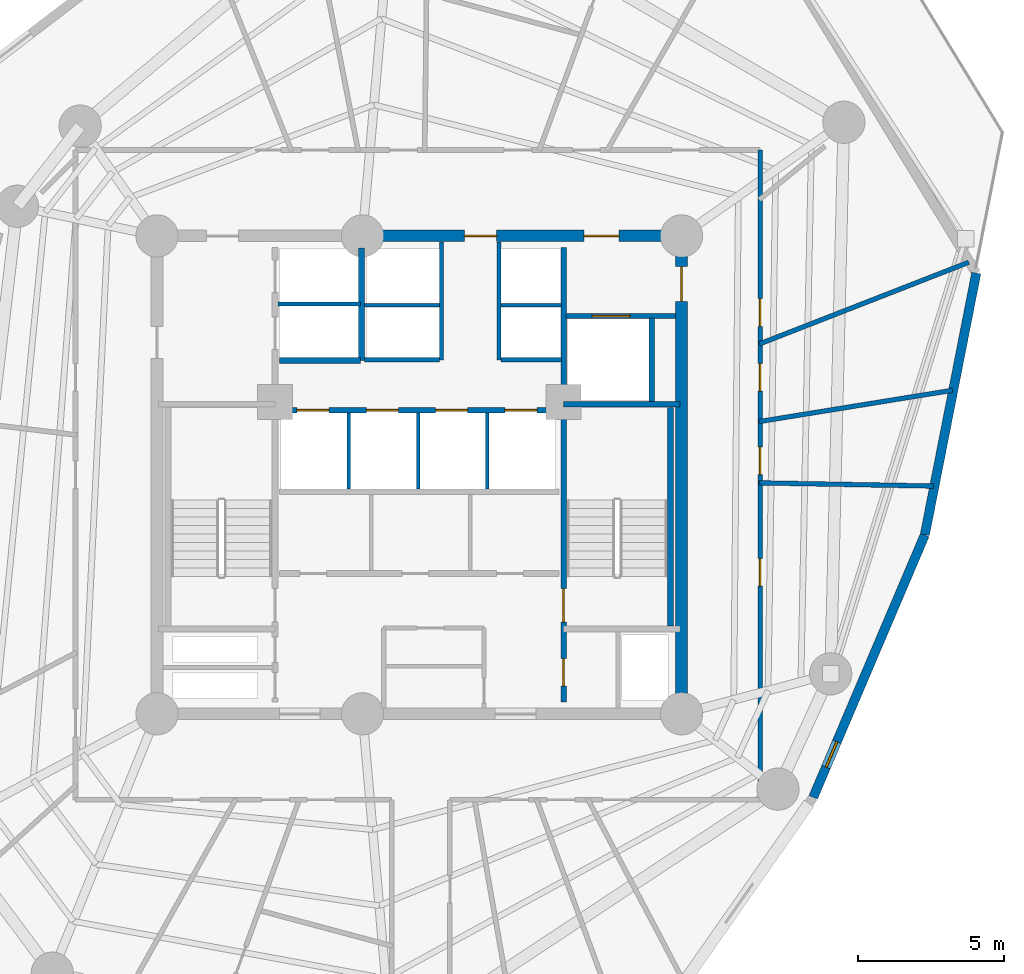
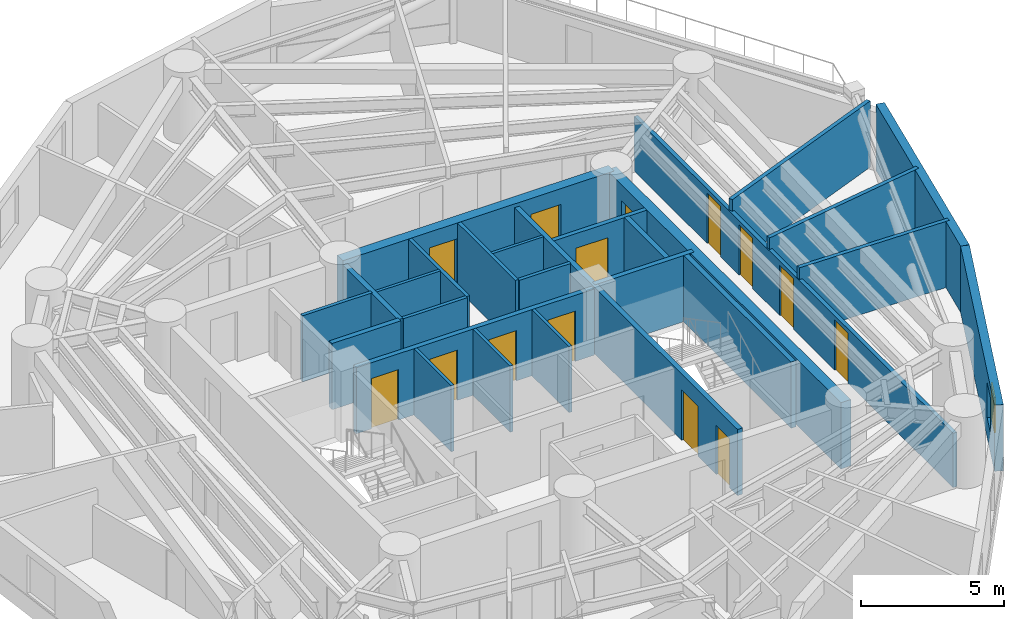
# One storey, part 5 of 9: 26 walls, 14 doors, 1 window, 15 openings.
"""IFC4 building model written with IfcOpenShell, lengths in metres."""

from ifc_helpers import new_model, si_unit, direction, frame, frame_2d, origin, origin_with_axes, place, context, subcontext, project, spatial, rectangle, extrude, source, transform, mapped, material, layer, layer_set, type_object, element, fill, save


model = new_model("IFC4")

# Units and contexts
model_context = context("Model", 3, precision=1e-05, world=origin(), true_north=direction((0.0, 1.0)))
body_context = subcontext(model_context, "Body", "Model", "MODEL_VIEW")
ifc_project = project(units=[si_unit("LENGTHUNIT", "METRE"), si_unit("AREAUNIT", "SQUARE_METRE"), si_unit("VOLUMEUNIT", "CUBIC_METRE"), si_unit("PLANEANGLEUNIT", "RADIAN"), si_unit("MASSUNIT", "GRAM", prefix="KILO")], contexts=[model_context])

# Site, building, storey
site_placement = place(None, origin())
site = spatial("IfcSite", under=ifc_project, at=site_placement, CompositionType="ELEMENT")
building_placement = place(site_placement, origin())
building = spatial("IfcBuilding", under=site, at=building_placement, Name="Karkom Vertical University and Central Library", CompositionType="ELEMENT")
storey_placement = place(building_placement, frame((0.0, 0.0, 129.75)))
storey = spatial("IfcBuildingStorey", under=building, at=storey_placement, Name="L36", CompositionType="ELEMENT", Elevation=129.75)

# Wall, opening, window
ifc_material_1 = material(Name="Brick-faced precast concrete C45/55", Category="masonry")
ifc_layer_1 = layer(ifc_material_1, 0.320068359375)
ifc_layer_set_1 = layer_set([ifc_layer_1], Name="Brick-faced precast concrete C45/55")
wall_type_1 = type_object("IfcWallType", Name="ENV-WL-BRK-320", PredefinedType="SOLIDWALL", material=ifc_layer_set_1)
wall_1_placement = place(storey_placement, frame((42.01806640625, 15.4306640625, 0.0), z_axis=(0.0, 0.0, 1.0), x_axis=(0.391384023763, 0.920227442507, 0.0)))
wall_1 = element("IfcWall", 1, at=wall_1_placement, inside=storey, type_object=wall_type_1, Name="Level 36 Brick-Faced Precast Facade Wall 06", PredefinedType="SOLIDWALL", context=body_context, shape_type="SweptSolid", body=[
    extrude(rectangle(XDim=9.79150390625, YDim=0.320068359375, at=frame_2d((4.895751953125, 0.0))), origin(), (0.0, 0.0, 1.0), 2.824951171875),
])
opening_1_placement = place(wall_1_placement, frame((1.128173828125, 0.0, 0.85009765625)))
opening_1 = element("IfcOpeningElement", 2, at=opening_1_placement, cuts=wall_1, Name="Opening WN-12", PredefinedType="OPENING", context=body_context, shape_type="SweptSolid", body=[
    extrude(rectangle(XDim=0.949951171875, YDim=1.5, at=frame_2d((0.47509765625, 0.75))), frame((0.0, 0.169921875, 0.0), z_axis=(0.0, -1.0, 0.0), x_axis=(1.0, 0.0, 0.0)), (0.0, 0.0, 1.0), 0.340087890625),
])
ifc_material_2 = material(Name="Aluminium thermal-break frame with solar-control IGU", Category="aluminium")
window_type = type_object("IfcWindowType", Name="ENV-WIN-WN-12", PartitioningType="SINGLE_PANEL", PredefinedType="WINDOW", material=ifc_material_2)
shared_shape_1 = source(origin_with_axes(), body_context, "Body", "SweptSolid", [
    extrude(rectangle(XDim=0.949951171875, YDim=1.5, at=frame_2d((0.47509765625, 0.75))), frame((0.0, 0.030029296875, 0.0), z_axis=(0.0, -1.0, 0.0), x_axis=(1.0, 0.0, 0.0)), (0.0, 0.0, 1.0), 0.06005859375),
])
window_placement = place(opening_1_placement, origin())
window = element("IfcWindow", 3, at=window_placement, inside=storey, type_object=window_type, Name="Level 36 Punched Window 6.1", OverallHeight=1.5, OverallWidth=0.949951171875, PartitioningType="SINGLE_PANEL", PredefinedType="WINDOW", context=body_context, shape_type="MappedRepresentation", body=[
    mapped(shared_shape_1, transform((0.0, 0.0, 0.0), scale=1.0)),
])
fill(opening_1, window)

# Wall
wall_2_placement = place(storey_placement, frame((45.850341796875, 24.441162109375, 0.0), z_axis=(0.0, 0.0, 1.0), x_axis=(0.192787024516, 0.981240624505, 0.0)))
element("IfcWall", 4, at=wall_2_placement, inside=storey, type_object=wall_type_1, Name="Level 36 Brick-Faced Precast Facade Wall 07", PredefinedType="SOLIDWALL", context=body_context, shape_type="SweptSolid", body=[
    extrude(rectangle(XDim=9.156005859375, YDim=0.320068359375, at=frame_2d((4.578125, 0.0))), origin(), (0.0, 0.0, 1.0), 2.824951171875),
])

# Wall, openings, doors
ifc_material_3 = material(Name="Insulated metal-stud drywall 160mm", Category="gypsum")
ifc_layer_2 = layer(ifc_material_3, 0.159912109375)
ifc_layer_set_2 = layer_set([ifc_layer_2], Name="Insulated metal-stud drywall 160mm")
wall_type_2 = type_object("IfcWallType", Name="INT-WL-COR-160", PredefinedType="PARTITIONING", material=ifc_layer_set_2)
wall_3_placement = place(storey_placement, frame((40.199951171875, 37.64990234375, 0.0), z_axis=(0.0, 0.0, 1.0), x_axis=(0.0, -1.0, 0.0)))
wall_3 = element("IfcWall", 5, at=wall_3_placement, inside=storey, type_object=wall_type_2, Name="Level 36 Interior Partition Wall L36-CORW-CW-004", PredefinedType="PARTITIONING", context=body_context, shape_type="SweptSolid", body=[
    extrude(rectangle(XDim=22.2998046875, YDim=0.159912109375, at=frame_2d((11.14990234375, 0.0))), origin(), (0.0, 0.0, 1.0), 2.324951171875),
])
opening_2_placement = place(wall_3_placement, frame((14.02001953125, 0.0, 0.0)))
opening_2 = element("IfcOpeningElement", 6, at=opening_2_placement, cuts=wall_3, Name="Opening D-RM1", PredefinedType="OPENING", context=body_context, shape_type="SweptSolid", body=[
    extrude(rectangle(XDim=0.949951171875, YDim=2.14990234375, at=frame_2d((0.47509765625, 1.074951171875))), frame((0.0, 0.08984375, 0.0), z_axis=(0.0, -1.0, 0.0), x_axis=(1.0, 0.0, 0.0)), (0.0, 0.0, 1.0), 0.179931640625),
])
opening_3_placement = place(wall_3_placement, frame((10.18505859375, 0.0, 0.0)))
opening_3 = element("IfcOpeningElement", 7, at=opening_3_placement, cuts=wall_3, Name="Opening FD-RM2", PredefinedType="OPENING", context=body_context, shape_type="SweptSolid", body=[
    extrude(rectangle(XDim=0.9599609375, YDim=2.14990234375, at=frame_2d((0.47998046875, 1.074951171875))), frame((0.0, 0.08984375, 0.0), z_axis=(0.0, -1.0, 0.0), x_axis=(1.0, 0.0, 0.0)), (0.0, 0.0, 1.0), 0.179931640625),
])
opening_4_placement = place(wall_3_placement, frame((7.330078125, 0.0, 0.0)))
opening_4 = element("IfcOpeningElement", 8, at=opening_4_placement, cuts=wall_3, Name="Opening D-RM1", PredefinedType="OPENING", context=body_context, shape_type="SweptSolid", body=[
    extrude(rectangle(XDim=0.949951171875, YDim=2.14990234375, at=frame_2d((0.47509765625, 1.074951171875))), frame((0.0, 0.08984375, 0.0), z_axis=(0.0, -1.0, 0.0), x_axis=(1.0, 0.0, 0.0)), (0.0, 0.0, 1.0), 0.179931640625),
])
opening_5_placement = place(wall_3_placement, frame((5.10009765625, 0.0, 0.0)))
opening_5 = element("IfcOpeningElement", 9, at=opening_5_placement, cuts=wall_3, Name="Opening D-RM1", PredefinedType="OPENING", context=body_context, shape_type="SweptSolid", body=[
    extrude(rectangle(XDim=0.949951171875, YDim=2.14990234375, at=frame_2d((0.47509765625, 1.074951171875))), frame((0.0, 0.08984375, 0.0), z_axis=(0.0, -1.0, 0.0), x_axis=(1.0, 0.0, 0.0)), (0.0, 0.0, 1.0), 0.179931640625),
])
ifc_material_4 = material(Name="Fire-rated oak veneer door", Category="wood")
door_type_1 = type_object("IfcDoorType", Name="INT-DR-FRM2", OperationType="NOTDEFINED", PredefinedType="DOOR", material=ifc_material_4)
shared_shape_2 = source(origin_with_axes(), body_context, "Body", "SweptSolid", [
    extrude(rectangle(XDim=0.9599609375, YDim=2.14990234375, at=frame_2d((0.47998046875, 1.074951171875))), frame((0.0, 0.02490234375, 0.0), z_axis=(0.0, -1.0, 0.0), x_axis=(1.0, 0.0, 0.0)), (0.0, 0.0, 1.0), 0.050048828125),
])
door_1_placement = place(opening_3_placement, origin())
door_1 = element("IfcDoor", 10, at=door_1_placement, inside=storey, type_object=door_type_1, Name="Level 36 Room Entry Door 120", OperationType="SINGLE_SWING_RIGHT", OverallHeight=2.14990234375, OverallWidth=0.9599609375, PredefinedType="DOOR", context=body_context, shape_type="MappedRepresentation", body=[
    mapped(shared_shape_2, transform((0.0, 0.0, 0.0), scale=1.0)),
])
fill(opening_3, door_1)
ifc_material_5 = material(Name="Solid-core oak veneer door", Category="wood")
door_type_2 = type_object("IfcDoorType", Name="INT-DR-RM1", OperationType="NOTDEFINED", PredefinedType="DOOR", material=ifc_material_5)
shared_shape_3 = source(origin_with_axes(), body_context, "Body", "SweptSolid", [
    extrude(rectangle(XDim=0.949951171875, YDim=2.14990234375, at=frame_2d((0.47509765625, 1.074951171875))), frame((0.0, 0.02490234375, 0.0), z_axis=(0.0, -1.0, 0.0), x_axis=(1.0, 0.0, 0.0)), (0.0, 0.0, 1.0), 0.050048828125),
])
door_2_placement = place(opening_2_placement, origin())
door_2 = element("IfcDoor", 11, at=door_2_placement, inside=storey, type_object=door_type_2, Name="Level 36 Room Entry Door 110", OperationType="SINGLE_SWING_LEFT", OverallHeight=2.14990234375, OverallWidth=0.949951171875, PredefinedType="DOOR", context=body_context, shape_type="MappedRepresentation", body=[
    mapped(shared_shape_3, transform((0.0, 0.0, 0.0), scale=1.0)),
])
fill(opening_2, door_2)
door_3_placement = place(opening_4_placement, origin())
door_3 = element("IfcDoor", 12, at=door_3_placement, inside=storey, type_object=door_type_2, Name="Level 36 Room Entry Door 130", OperationType="SINGLE_SWING_LEFT", OverallHeight=2.14990234375, OverallWidth=0.949951171875, PredefinedType="DOOR", context=body_context, shape_type="MappedRepresentation", body=[
    mapped(shared_shape_3, transform((0.0, 0.0, 0.0), scale=1.0)),
])
fill(opening_4, door_3)
door_4_placement = place(opening_5_placement, origin())
door_4 = element("IfcDoor", 13, at=door_4_placement, inside=storey, type_object=door_type_2, Name="Level 36 Room Entry Door 140", OperationType="SINGLE_SWING_RIGHT", OverallHeight=2.14990234375, OverallWidth=0.949951171875, PredefinedType="DOOR", context=body_context, shape_type="MappedRepresentation", body=[
    mapped(shared_shape_3, transform((0.0, 0.0, 0.0), scale=1.0)),
])
fill(opening_5, door_4)

# Walls
wall_4_placement = place(storey_placement, frame((40.172119140625, 30.9912109375, 0.0), z_axis=(0.0, 0.0, 1.0), x_axis=(0.931556703076, 0.363596079399, 0.0)))
element("IfcWall", 14, at=wall_4_placement, inside=storey, type_object=wall_type_2, Name="Level 36 Interior Partition Wall L36-PW-017", PredefinedType="PARTITIONING", context=body_context, shape_type="SweptSolid", body=[
    extrude(rectangle(XDim=7.7138671875, YDim=0.159912109375, at=frame_2d((3.85693359375, 0.0))), origin(), (0.0, 0.0, 1.0), 2.824951171875),
])
wall_5_placement = place(storey_placement, frame((40.155517578125, 28.326904296875, 0.0), z_axis=(0.0, 0.0, 1.0), x_axis=(0.987136922494, 0.159877128597, 0.0)))
element("IfcWall", 15, at=wall_5_placement, inside=storey, type_object=wall_type_2, Name="Level 36 Interior Partition Wall L36-PW-016", PredefinedType="PARTITIONING", context=body_context, shape_type="SweptSolid", body=[
    extrude(rectangle(XDim=6.7265625, YDim=0.159912109375, at=frame_2d((3.36328125, 0.0))), origin(), (0.0, 0.0, 1.0), 2.824951171875),
])
wall_6_placement = place(storey_placement, frame((40.155029296875, 26.2255859375, 0.0), z_axis=(0.0, 0.0, 1.0), x_axis=(0.999831535235, -0.018354867195, 0.0)))
element("IfcWall", 16, at=wall_6_placement, inside=storey, type_object=wall_type_2, Name="Level 36 Interior Partition Wall L36-PW-015", PredefinedType="PARTITIONING", context=body_context, shape_type="SweptSolid", body=[
    extrude(rectangle(XDim=5.998779296875, YDim=0.159912109375, at=frame_2d((2.99951171875, 0.0))), origin(), (0.0, 0.0, 1.0), 2.824951171875),
])
ifc_material_6 = material(Name="Moisture-resistant drywall 120mm", Category="gypsum")
ifc_layer_3 = layer(ifc_material_6, 0.1201171875)
ifc_layer_set_3 = layer_set([ifc_layer_3], Name="Moisture-resistant drywall 120mm")
wall_type_3 = type_object("IfcWallType", Name="INT-WL-INT-120H", PredefinedType="PARTITIONING", material=ifc_layer_set_3)
for number, where, z_axis, x_axis, name in (
    (17, (26.080078125, 26.02001953125, 0.0), (0.0, 0.0, 1.0), (0.0, 1.0, 0.0), "Level 36 Interior Partition Wall L36-CW-PM-DIV1"),
    (18, (28.4599609375, 26.02001953125, 0.0), (0.0, 0.0, 1.0), (0.0, 1.0, 0.0), "Level 36 Interior Partition Wall L36-CW-PM-DIV2"),
    (19, (30.840087890625, 26.02001953125, 0.0), (0.0, 0.0, 1.0), (0.0, 1.0, 0.0), "Level 36 Interior Partition Wall L36-CW-PM-DIV3"),
):
    element("IfcWall", number, at=place(storey_placement, frame(where, z_axis=z_axis, x_axis=x_axis)), inside=storey, type_object=wall_type_3, Name=name, PredefinedType="PARTITIONING", context=body_context, shape_type="SweptSolid", body=[
        extrude(rectangle(XDim=2.60009765625, YDim=0.1201171875, at=frame_2d((1.300048828125, 0.0))), origin(), (0.0, 0.0, 1.0), 2.824951171875),
    ])
wall_7_placement = place(storey_placement, frame((26.6201171875, 32.320068359375, 0.0), z_axis=(0.0, 0.0, 1.0), x_axis=(1.0, 0.0, 0.0)))
element("IfcWall", 20, at=wall_7_placement, inside=storey, type_object=wall_type_3, Name="Level 36 Interior Partition Wall L36-CW-PH-MW", PredefinedType="PARTITIONING", context=body_context, shape_type="SweptSolid", body=[
    extrude(rectangle(XDim=2.579833984375, YDim=0.1201171875, at=frame_2d((1.2900390625, 0.0))), origin(), (0.0, 0.0, 1.0), 2.824951171875),
])
wall_8_placement = place(storey_placement, frame((31.300048828125, 32.320068359375, 0.0), z_axis=(0.0, 0.0, 1.0), x_axis=(1.0, 0.0, 0.0)))
element("IfcWall", 21, at=wall_8_placement, inside=storey, type_object=wall_type_3, Name="Level 36 Interior Partition Wall L36-CW-PH-ME", PredefinedType="PARTITIONING", context=body_context, shape_type="SweptSolid", body=[
    extrude(rectangle(XDim=2.074951171875, YDim=0.1201171875, at=frame_2d((1.03759765625, 0.0))), origin(), (0.0, 0.0, 1.0), 2.824951171875),
])
ifc_material_7 = material(Name="Metal-stud gypsum partition 140mm", Category="gypsum")
ifc_layer_4 = layer(ifc_material_7, 0.139892578125)
ifc_layer_set_4 = layer_set([ifc_layer_4], Name="Metal-stud gypsum partition 140mm")
wall_type_4 = type_object("IfcWallType", Name="INT-WL-SUB-140H", PredefinedType="PARTITIONING", material=ifc_layer_set_4)
for number, where, z_axis, x_axis, name in (
    (22, (29.260009765625, 30.449951171875, 0.0), (0.0, 0.0, 1.0), (0.0, 1.0, 0.0), "Level 36 Interior Partition Wall L36-CW-PH-W"),
    (23, (31.239990234375, 30.449951171875, 0.0), (0.0, 0.0, 1.0), (0.0, 1.0, 0.0), "Level 36 Interior Partition Wall L36-CW-PH-E"),
):
    element("IfcWall", number, at=place(storey_placement, frame(where, z_axis=z_axis, x_axis=x_axis)), inside=storey, type_object=wall_type_4, Name=name, PredefinedType="PARTITIONING", context=body_context, shape_type="SweptSolid", body=[
        extrude(rectangle(XDim=4.04296875, YDim=0.139892578125, at=frame_2d((2.021484375, 0.0))), origin(), (0.0, 0.0, 1.0), 2.824951171875),
    ])
wall_9_placement = place(storey_placement, frame((26.6201171875, 30.449951171875, 0.0), z_axis=(0.0, 0.0, 1.0), x_axis=(1.0, 0.0, 0.0)))
element("IfcWall", 24, at=wall_9_placement, inside=storey, type_object=wall_type_4, Name="Level 36 Interior Partition Wall L36-CW-PH-S1", PredefinedType="PARTITIONING", context=body_context, shape_type="SweptSolid", body=[
    extrude(rectangle(XDim=2.579833984375, YDim=0.139892578125, at=frame_2d((1.2900390625, 0.0))), origin(), (0.0, 0.0, 1.0), 2.824951171875),
])
wall_10_placement = place(storey_placement, frame((31.300048828125, 30.449951171875, 0.0), z_axis=(0.0, 0.0, 1.0), x_axis=(1.0, 0.0, 0.0)))
element("IfcWall", 25, at=wall_10_placement, inside=storey, type_object=wall_type_4, Name="Level 36 Interior Partition Wall L36-CW-PH-S2", PredefinedType="PARTITIONING", context=body_context, shape_type="SweptSolid", body=[
    extrude(rectangle(XDim=2.074951171875, YDim=0.139892578125, at=frame_2d((1.03759765625, 0.0))), origin(), (0.0, 0.0, 1.0), 2.824951171875),
])
ifc_layer_5 = layer(ifc_material_7, 0.139892578125)
ifc_layer_set_5 = layer_set([ifc_layer_5], Name="Metal-stud gypsum partition 140mm")
wall_type_5 = type_object("IfcWallType", Name="INT-WL-SUB-140X", PredefinedType="PARTITIONING", material=ifc_layer_set_5)
wall_11_placement = place(storey_placement, frame((23.652099609375, 32.3701171875, 0.0), z_axis=(0.0, 0.0, 1.0), x_axis=(1.0, 0.0, 0.0)))
element("IfcWall", 26, at=wall_11_placement, inside=storey, type_object=wall_type_5, Name="Level 36 Interior Partition Wall L36-CW-FFL-M", PredefinedType="PARTITIONING", context=body_context, shape_type="SweptSolid", body=[
    extrude(rectangle(XDim=2.827880859375, YDim=0.139892578125, at=frame_2d((1.4140625, 0.0))), origin(), (0.0, 0.0, 1.0), 2.824951171875),
])

# Wall, opening, door
ifc_material_8 = material(Name="Twin-stud acoustic drywall 180mm", Category="gypsum")
ifc_layer_6 = layer(ifc_material_8, 0.179931640625)
ifc_layer_set_6 = layer_set([ifc_layer_6], Name="Twin-stud acoustic drywall 180mm")
wall_type_6 = type_object("IfcWallType", Name="INT-WL-TEN-180F", PredefinedType="PARTITIONING", material=ifc_layer_set_6)
wall_12_placement = place(storey_placement, frame((33.534912109375, 31.949951171875, 0.0), z_axis=(0.0, 0.0, 1.0), x_axis=(1.0, 0.0, 0.0)))
wall_12 = element("IfcWall", 27, at=wall_12_placement, inside=storey, type_object=wall_type_6, Name="Level 36 Interior Partition Wall L36-CW-SVL-N", PredefinedType="PARTITIONING", context=body_context, shape_type="SweptSolid", body=[
    extrude(rectangle(XDim=3.7587890625, YDim=0.179931640625, at=frame_2d((1.87939453125, 0.0))), origin(), (0.0, 0.0, 1.0), 2.824951171875),
])
opening_6_placement = place(wall_12_placement, frame((0.89990234375, 0.0, 0.0)))
opening_6 = element("IfcOpeningElement", 28, at=opening_6_placement, cuts=wall_12, Name="Opening LD-SV1", PredefinedType="OPENING", context=body_context, shape_type="SweptSolid", body=[
    extrude(rectangle(XDim=1.300048828125, YDim=2.199951171875, at=frame_2d((0.64990234375, 1.10009765625))), frame((0.0, 0.10009765625, 0.0), z_axis=(0.0, -1.0, 0.0), x_axis=(1.0, 0.0, 0.0)), (0.0, 0.0, 1.0), 0.199951171875),
])
ifc_material_9 = material(Name="Brushed stainless-steel landing door", Category="steel")
door_type_3 = type_object("IfcDoorType", Name="INT-DR-LD-SV1", OperationType="SLIDING_TO_LEFT", PredefinedType="DOOR", material=ifc_material_9)
shared_shape_4 = source(origin_with_axes(), body_context, "Body", "SweptSolid", [
    extrude(rectangle(XDim=1.300048828125, YDim=2.199951171875, at=frame_2d((0.64990234375, 1.10009765625))), frame((0.0, 0.02490234375, 0.0), z_axis=(0.0, -1.0, 0.0), x_axis=(1.0, 0.0, 0.0)), (0.0, 0.0, 1.0), 0.050048828125),
])
door_5_placement = place(opening_6_placement, origin())
door_5 = element("IfcDoor", 29, at=door_5_placement, inside=storey, type_object=door_type_3, Name="Level 36 Service Lift Landing Door LD-SV1", OperationType="SLIDING_TO_LEFT", OverallHeight=2.199951171875, OverallWidth=1.300048828125, PredefinedType="DOOR", context=body_context, shape_type="MappedRepresentation", body=[
    mapped(shared_shape_4, transform((0.0, 0.0, 0.0), scale=1.0)),
])
fill(opening_6, door_5)

ifc_material_10 = material(Name="Concrete C50/60", Category="concrete")
ifc_layer_7 = layer(ifc_material_10, 0.39990234375)
ifc_layer_set_7 = layer_set([ifc_layer_7], Name="Concrete C50/60")
wall_type_7 = type_object("IfcWallType", Name="STR-WL-CW-400", PredefinedType="SHEAR", material=ifc_layer_set_7)
wall_13_placement = place(storey_placement, frame((37.5, 18.300048828125, 0.0), z_axis=(0.0, 0.0, 1.0), x_axis=(0.0, 1.0, 0.0)))
wall_13 = element("IfcWall", 30, at=wall_13_placement, inside=storey, type_object=wall_type_7, Name="Level 36 Central Core Shear Wall EW", PredefinedType="SHEAR", context=body_context, shape_type="SweptSolid", body=[
    extrude(rectangle(XDim=16.39990234375, YDim=0.39990234375, at=frame_2d((8.199951171875, 0.0))), origin(), (0.0, 0.0, 1.0), 2.824951171875),
])
opening_7_placement = place(wall_13_placement, frame((14.14990234375, 0.0, 0.0)))
opening_7 = element("IfcOpeningElement", 31, at=opening_7_placement, cuts=wall_13, Name="Opening FD-SUB1", PredefinedType="OPENING", context=body_context, shape_type="SweptSolid", body=[
    extrude(rectangle(XDim=1.199951171875, YDim=2.14990234375, at=frame_2d((0.60009765625, 1.074951171875))), frame((0.0, 0.2099609375, 0.0), z_axis=(0.0, -1.0, 0.0), x_axis=(1.0, 0.0, 0.0)), (0.0, 0.0, 1.0), 0.419921875),
])
ifc_material_11 = material(Name="Painted steel fire door", Category="steel")
door_type_4 = type_object("IfcDoorType", Name="INT-DR-SUB1", OperationType="NOTDEFINED", PredefinedType="DOOR", material=ifc_material_11)
shared_shape_5 = source(origin_with_axes(), body_context, "Body", "SweptSolid", [
    extrude(rectangle(XDim=1.199951171875, YDim=2.14990234375, at=frame_2d((0.60009765625, 1.074951171875))), frame((0.0, 0.02490234375, 0.0), z_axis=(0.0, -1.0, 0.0), x_axis=(1.0, 0.0, 0.0)), (0.0, 0.0, 1.0), 0.050048828125),
])
door_6_placement = place(opening_7_placement, origin())
door_6 = element("IfcDoor", 32, at=door_6_placement, inside=storey, type_object=door_type_4, Name="Level 36 East Corridor Service Lobby Door", OperationType="SINGLE_SWING_LEFT", OverallHeight=2.14990234375, OverallWidth=1.199951171875, PredefinedType="DOOR", context=body_context, shape_type="MappedRepresentation", body=[
    mapped(shared_shape_5, transform((0.0, 0.0, 0.0), scale=1.0)),
])
fill(opening_7, door_6)

# Wall, openings, doors
wall_14_placement = place(storey_placement, frame((37.5, 34.699951171875, 0.0), z_axis=(0.0, 0.0, 1.0), x_axis=(-1.0, 0.0, 0.0)))
wall_14 = element("IfcWall", 33, at=wall_14_placement, inside=storey, type_object=wall_type_7, Name="Level 36 Central Core Shear Wall NW1", PredefinedType="SHEAR", context=body_context, shape_type="SweptSolid", body=[
    extrude(rectangle(XDim=10.949951171875, YDim=0.39990234375, at=frame_2d((5.47509765625, 0.0))), origin(), (0.0, 0.0, 1.0), 2.824951171875),
])
opening_8_placement = place(wall_14_placement, frame((2.14990234375, 0.0, 0.0)))
opening_8 = element("IfcOpeningElement", 34, at=opening_8_placement, cuts=wall_14, Name="Opening FD-SUB1", PredefinedType="OPENING", context=body_context, shape_type="SweptSolid", body=[
    extrude(rectangle(XDim=1.199951171875, YDim=2.14990234375, at=frame_2d((0.60009765625, 1.074951171875))), frame((0.0, 0.2099609375, 0.0), z_axis=(0.0, -1.0, 0.0), x_axis=(1.0, 0.0, 0.0)), (0.0, 0.0, 1.0), 0.419921875),
])
opening_9_placement = place(wall_14_placement, frame((6.35009765625, 0.0, 0.0)))
opening_9 = element("IfcOpeningElement", 35, at=opening_9_placement, cuts=wall_14, Name="Opening FD-FFL", PredefinedType="OPENING", context=body_context, shape_type="SweptSolid", body=[
    extrude(rectangle(XDim=1.10009765625, YDim=2.14990234375, at=frame_2d((0.550048828125, 1.074951171875))), frame((0.0, 0.2099609375, 0.0), z_axis=(0.0, -1.0, 0.0), x_axis=(1.0, 0.0, 0.0)), (0.0, 0.0, 1.0), 0.419921875),
])
ifc_material_12 = material(Name="Painted steel smoke-seal fire door", Category="steel")
door_type_5 = type_object("IfcDoorType", Name="INT-DR-FFL", OperationType="NOTDEFINED", PredefinedType="DOOR", material=ifc_material_12)
shared_shape_6 = source(origin_with_axes(), body_context, "Body", "SweptSolid", [
    extrude(rectangle(XDim=1.10009765625, YDim=2.14990234375, at=frame_2d((0.550048828125, 1.074951171875))), frame((0.0, 0.02490234375, 0.0), z_axis=(0.0, -1.0, 0.0), x_axis=(1.0, 0.0, 0.0)), (0.0, 0.0, 1.0), 0.050048828125),
])
door_7_placement = place(opening_9_placement, origin())
door_7 = element("IfcDoor", 36, at=door_7_placement, inside=storey, type_object=door_type_5, Name="Level 36 North Core Lobby Exit Door", OperationType="SINGLE_SWING_LEFT", OverallHeight=2.14990234375, OverallWidth=1.10009765625, PredefinedType="DOOR", context=body_context, shape_type="MappedRepresentation", body=[
    mapped(shared_shape_6, transform((0.0, 0.0, 0.0), scale=1.0)),
])
fill(opening_9, door_7)
door_8_placement = place(opening_8_placement, origin())
door_8 = element("IfcDoor", 37, at=door_8_placement, inside=storey, type_object=door_type_4, Name="Level 36 Service Lobby Fire Door", OperationType="SINGLE_SWING_RIGHT", OverallHeight=2.14990234375, OverallWidth=1.199951171875, PredefinedType="DOOR", context=body_context, shape_type="MappedRepresentation", body=[
    mapped(shared_shape_5, transform((0.0, 0.0, 0.0), scale=1.0)),
])
fill(opening_8, door_8)

ifc_material_13 = material(Name="Concrete C45/55", Category="concrete")
ifc_layer_8 = layer(ifc_material_13, 0.199951171875)
ifc_layer_set_8 = layer_set([ifc_layer_8], Name="Concrete C45/55")
wall_type_8 = type_object("IfcWallType", Name="STR-WL-ST-200", PredefinedType="SHEAR", material=ifc_layer_set_8)
wall_15_placement = place(storey_placement, frame((33.455078125, 18.699951171875, 0.0), z_axis=(0.0, 0.0, 1.0), x_axis=(0.0, 1.0, 0.0)))
wall_15 = element("IfcWall", 38, at=wall_15_placement, inside=storey, type_object=wall_type_8, Name="Level 36 Core Shaft Wall L36-CW-ST2-W", PredefinedType="SHEAR", context=body_context, shape_type="SweptSolid", body=[
    extrude(rectangle(XDim=15.60009765625, YDim=0.199951171875, at=frame_2d((7.800048828125, 0.0))), origin(), (0.0, 0.0, 1.0), 2.824951171875),
])
opening_10_placement = place(wall_15_placement, frame((2.75, 0.0, 0.0)))
opening_10 = element("IfcOpeningElement", 39, at=opening_10_placement, cuts=wall_15, Name="Opening FD-ST1", PredefinedType="OPENING", context=body_context, shape_type="SweptSolid", body=[
    extrude(rectangle(XDim=1.14990234375, YDim=2.14990234375, at=frame_2d((0.574951171875, 1.074951171875))), frame((0.0, 0.10986328125, 0.0), z_axis=(0.0, -1.0, 0.0), x_axis=(1.0, 0.0, 0.0)), (0.0, 0.0, 1.0), 0.219970703125),
])
opening_11_placement = place(wall_15_placement, frame((0.550048828125, 0.0, 0.0)))
opening_11 = element("IfcOpeningElement", 40, at=opening_11_placement, cuts=wall_15, Name="Opening D-WC1", PredefinedType="OPENING", context=body_context, shape_type="SweptSolid", body=[
    extrude(rectangle(XDim=0.93994140625, YDim=2.10009765625, at=frame_2d((0.469970703125, 1.050048828125))), frame((0.0, 0.10986328125, 0.0), z_axis=(0.0, -1.0, 0.0), x_axis=(1.0, 0.0, 0.0)), (0.0, 0.0, 1.0), 0.219970703125),
])
ifc_material_14 = material(Name="Painted steel acoustic fire door", Category="steel")
door_type_6 = type_object("IfcDoorType", Name="INT-DR-ST1", OperationType="NOTDEFINED", PredefinedType="DOOR", material=ifc_material_14)
shared_shape_7 = source(origin_with_axes(), body_context, "Body", "SweptSolid", [
    extrude(rectangle(XDim=1.14990234375, YDim=2.14990234375, at=frame_2d((0.574951171875, 1.074951171875))), frame((0.0, 0.02490234375, 0.0), z_axis=(0.0, -1.0, 0.0), x_axis=(1.0, 0.0, 0.0)), (0.0, 0.0, 1.0), 0.050048828125),
])
door_9_placement = place(opening_10_placement, origin())
door_9 = element("IfcDoor", 41, at=door_9_placement, inside=storey, type_object=door_type_6, Name="Level 36 Stair ST-2 Fire Door", OperationType="SINGLE_SWING_RIGHT", OverallHeight=2.14990234375, OverallWidth=1.14990234375, PredefinedType="DOOR", context=body_context, shape_type="MappedRepresentation", body=[
    mapped(shared_shape_7, transform((0.0, 0.0, 0.0), scale=1.0)),
])
fill(opening_10, door_9)
ifc_material_15 = material(Name="Fire-rated laminate moisture-resistant door", Category="wood")
door_type_7 = type_object("IfcDoorType", Name="INT-DR-WC1", OperationType="NOTDEFINED", PredefinedType="DOOR", material=ifc_material_15)
shared_shape_8 = source(origin_with_axes(), body_context, "Body", "SweptSolid", [
    extrude(rectangle(XDim=0.93994140625, YDim=2.10009765625, at=frame_2d((0.469970703125, 1.050048828125))), frame((0.0, 0.02490234375, 0.0), z_axis=(0.0, -1.0, 0.0), x_axis=(1.0, 0.0, 0.0)), (0.0, 0.0, 1.0), 0.050048828125),
])
door_10_placement = place(opening_11_placement, origin())
door_10 = element("IfcDoor", 42, at=door_10_placement, inside=storey, type_object=door_type_7, Name="Level 36 Accessible WC Door", OperationType="SINGLE_SWING_LEFT", OverallHeight=2.10009765625, OverallWidth=0.93994140625, PredefinedType="DOOR", context=body_context, shape_type="MappedRepresentation", body=[
    mapped(shared_shape_8, transform((0.0, 0.0, 0.0), scale=1.0)),
])
fill(opening_11, door_10)

wall_16_placement = place(storey_placement, frame((23.699951171875, 28.719970703125, 0.0), z_axis=(0.0, 0.0, 1.0), x_axis=(1.0, 0.0, 0.0)))
wall_16 = element("IfcWall", 43, at=wall_16_placement, inside=storey, type_object=wall_type_8, Name="Level 36 Core Shaft Wall L36-CW-B2-N", PredefinedType="SHEAR", context=body_context, shape_type="SweptSolid", body=[
    extrude(rectangle(XDim=9.60009765625, YDim=0.199951171875, at=frame_2d((4.800048828125, 0.0))), origin(), (0.0, 0.0, 1.0), 2.824951171875),
])
opening_12_placement = place(wall_16_placement, frame((0.60009765625, 0.0, 0.0)))
opening_12 = element("IfcOpeningElement", 44, at=opening_12_placement, cuts=wall_16, Name="Opening LD-PAX", PredefinedType="OPENING", context=body_context, shape_type="SweptSolid", body=[
    extrude(rectangle(XDim=1.10009765625, YDim=2.14990234375, at=frame_2d((0.550048828125, 1.074951171875))), frame((0.0, 0.10986328125, 0.0), z_axis=(0.0, -1.0, 0.0), x_axis=(1.0, 0.0, 0.0)), (0.0, 0.0, 1.0), 0.219970703125),
])
opening_13_placement = place(wall_16_placement, frame((2.97998046875, 0.0, 0.0)))
opening_13 = element("IfcOpeningElement", 45, at=opening_13_placement, cuts=wall_16, Name="Opening LD-PAX", PredefinedType="OPENING", context=body_context, shape_type="SweptSolid", body=[
    extrude(rectangle(XDim=1.10009765625, YDim=2.14990234375, at=frame_2d((0.550048828125, 1.074951171875))), frame((0.0, 0.10986328125, 0.0), z_axis=(0.0, -1.0, 0.0), x_axis=(1.0, 0.0, 0.0)), (0.0, 0.0, 1.0), 0.219970703125),
])
opening_14_placement = place(wall_16_placement, frame((5.360107421875, 0.0, 0.0)))
opening_14 = element("IfcOpeningElement", 46, at=opening_14_placement, cuts=wall_16, Name="Opening LD-PAX", PredefinedType="OPENING", context=body_context, shape_type="SweptSolid", body=[
    extrude(rectangle(XDim=1.10009765625, YDim=2.14990234375, at=frame_2d((0.550048828125, 1.074951171875))), frame((0.0, 0.10986328125, 0.0), z_axis=(0.0, -1.0, 0.0), x_axis=(1.0, 0.0, 0.0)), (0.0, 0.0, 1.0), 0.219970703125),
])
opening_15_placement = place(wall_16_placement, frame((7.739990234375, 0.0, 0.0)))
opening_15 = element("IfcOpeningElement", 47, at=opening_15_placement, cuts=wall_16, Name="Opening LD-PAX", PredefinedType="OPENING", context=body_context, shape_type="SweptSolid", body=[
    extrude(rectangle(XDim=1.10009765625, YDim=2.14990234375, at=frame_2d((0.550048828125, 1.074951171875))), frame((0.0, 0.10986328125, 0.0), z_axis=(0.0, -1.0, 0.0), x_axis=(1.0, 0.0, 0.0)), (0.0, 0.0, 1.0), 0.219970703125),
])
door_type_8 = type_object("IfcDoorType", Name="INT-DR-LD-PAX", OperationType="SLIDING_TO_LEFT", PredefinedType="DOOR", material=ifc_material_9)
door_11_placement = place(opening_12_placement, origin())
door_11 = element("IfcDoor", 48, at=door_11_placement, inside=storey, type_object=door_type_8, Name="Level 36 Lift PM-1 Landing Door", OperationType="SLIDING_TO_LEFT", OverallHeight=2.14990234375, OverallWidth=1.10009765625, PredefinedType="DOOR", context=body_context, shape_type="MappedRepresentation", body=[
    mapped(shared_shape_6, transform((0.0, 0.0, 0.0), scale=1.0)),
])
fill(opening_12, door_11)
door_12_placement = place(opening_13_placement, origin())
door_12 = element("IfcDoor", 49, at=door_12_placement, inside=storey, type_object=door_type_8, Name="Level 36 Lift PM-2 Landing Door", OperationType="SLIDING_TO_RIGHT", OverallHeight=2.14990234375, OverallWidth=1.10009765625, PredefinedType="DOOR", context=body_context, shape_type="MappedRepresentation", body=[
    mapped(shared_shape_6, transform((0.0, 0.0, 0.0), scale=1.0)),
])
fill(opening_13, door_12)
door_13_placement = place(opening_14_placement, origin())
door_13 = element("IfcDoor", 50, at=door_13_placement, inside=storey, type_object=door_type_8, Name="Level 36 Lift PM-3 Landing Door", OperationType="SLIDING_TO_LEFT", OverallHeight=2.14990234375, OverallWidth=1.10009765625, PredefinedType="DOOR", context=body_context, shape_type="MappedRepresentation", body=[
    mapped(shared_shape_6, transform((0.0, 0.0, 0.0), scale=1.0)),
])
fill(opening_14, door_13)
door_14_placement = place(opening_15_placement, origin())
door_14 = element("IfcDoor", 51, at=door_14_placement, inside=storey, type_object=door_type_8, Name="Level 36 Lift PM-4 Landing Door", OperationType="SLIDING_TO_RIGHT", OverallHeight=2.14990234375, OverallWidth=1.10009765625, PredefinedType="DOOR", context=body_context, shape_type="MappedRepresentation", body=[
    mapped(shared_shape_6, transform((0.0, 0.0, 0.0), scale=1.0)),
])
fill(opening_15, door_14)

# Walls
wall_17_placement = place(storey_placement, frame((37.125, 21.320068359375, 0.0), z_axis=(0.0, 0.0, 1.0), x_axis=(0.0, 1.0, 0.0)))
element("IfcWall", 52, at=wall_17_placement, inside=storey, type_object=wall_type_8, Name="Level 36 Core Shaft Wall L36-CW-ST2-E", PredefinedType="SHEAR", context=body_context, shape_type="SweptSolid", body=[
    extrude(rectangle(XDim=7.5, YDim=0.199951171875, at=frame_2d((3.75, 0.0))), origin(), (0.0, 0.0, 1.0), 2.824951171875),
])
wall_18_placement = place(storey_placement, frame((33.455078125, 28.925048828125, 0.0), z_axis=(0.0, 0.0, 1.0), x_axis=(1.0, 0.0, 0.0)))
element("IfcWall", 53, at=wall_18_placement, inside=storey, type_object=wall_type_8, Name="Level 36 Core Shaft Wall L36-CW-ST2-N", PredefinedType="SHEAR", context=body_context, shape_type="SweptSolid", body=[
    extrude(rectangle(XDim=3.994873046875, YDim=0.199951171875, at=frame_2d((1.99755859375, 0.0))), origin(), (0.0, 0.0, 1.0), 2.824951171875),
])
wall_19_placement = place(storey_placement, frame((26.52001953125, 30.419921875, 0.0), z_axis=(0.0, 0.0, 1.0), x_axis=(0.0, 1.0, 0.0)))
element("IfcWall", 54, at=wall_19_placement, inside=storey, type_object=wall_type_8, Name="Level 36 Core Shaft Wall L36-CW-FFL-E", PredefinedType="SHEAR", context=body_context, shape_type="SweptSolid", body=[
    extrude(rectangle(XDim=3.860107421875, YDim=0.199951171875, at=frame_2d((1.93017578125, 0.0))), origin(), (0.0, 0.0, 1.0), 2.824951171875),
])
wall_20_placement = place(storey_placement, frame((36.47998046875, 29.02001953125, 0.0), z_axis=(0.0, 0.0, 1.0), x_axis=(0.0, 1.0, 0.0)))
element("IfcWall", 55, at=wall_20_placement, inside=storey, type_object=wall_type_8, Name="Level 36 Core Shaft Wall L36-CW-SVL-E", PredefinedType="SHEAR", context=body_context, shape_type="SweptSolid", body=[
    extrude(rectangle(XDim=2.85986328125, YDim=0.199951171875, at=frame_2d((1.429931640625, 0.0))), origin(), (0.0, 0.0, 1.0), 2.824951171875),
])
wall_21_placement = place(storey_placement, frame((23.699951171875, 30.419921875, 0.0), z_axis=(0.0, 0.0, 1.0), x_axis=(1.0, 0.0, 0.0)))
element("IfcWall", 56, at=wall_21_placement, inside=storey, type_object=wall_type_8, Name="Level 36 Core Shaft Wall L36-CW-FFL-S", PredefinedType="SHEAR", context=body_context, shape_type="SweptSolid", body=[
    extrude(rectangle(XDim=2.780029296875, YDim=0.199951171875, at=frame_2d((1.39013671875, 0.0))), origin(), (0.0, 0.0, 1.0), 2.824951171875),
])

save(model, "model.ifc")
